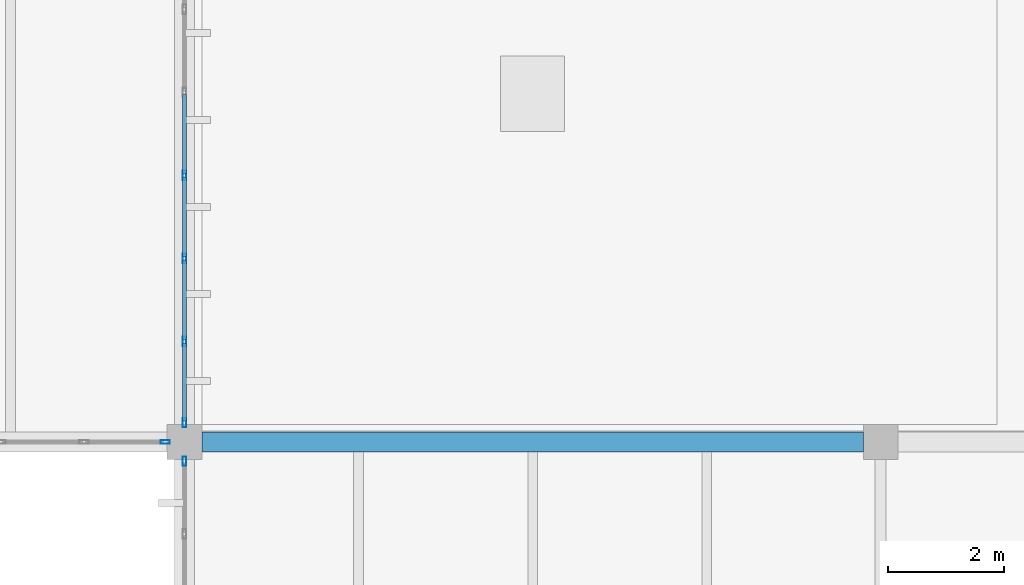
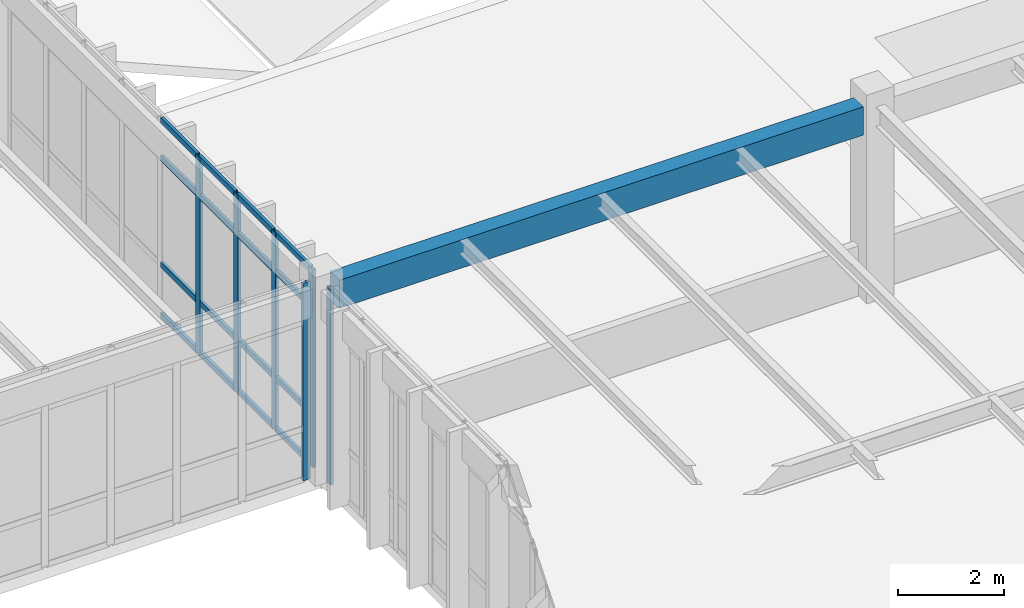
# One storey, part 174 of 236: 22 members, 1 beam, 3 elements without a shape of their own.
"""IFC4 building model written with IfcOpenShell, lengths in metres."""

from ifc_helpers import new_model, si_unit, direction, frame, origin, origin_2d, place, context, subcontext, project, spatial, rectangle, hollow_rectangle, extrude, material, layer, layer_set, material_profile, profile_set, type_object, element, aggregate, save


model = new_model("IFC4")

# Units and contexts
model_context = context("Model", 3, precision=1e-05, world=origin(), true_north=direction((0.0, 1.0)))
body_context = subcontext(model_context, "Body", "Model", "MODEL_VIEW")
ifc_project = project(units=[si_unit("LENGTHUNIT", "METRE"), si_unit("AREAUNIT", "SQUARE_METRE"), si_unit("VOLUMEUNIT", "CUBIC_METRE"), si_unit("PLANEANGLEUNIT", "RADIAN"), si_unit("MASSUNIT", "GRAM", prefix="KILO")], contexts=[model_context])

# Site, building, storey
site_placement = place(None, origin())
site = spatial("IfcSite", under=ifc_project, at=site_placement, CompositionType="ELEMENT")
building_placement = place(site_placement, origin())
building = spatial("IfcBuilding", under=site, at=building_placement, Name="Pandanus Reach Market Hall", CompositionType="ELEMENT")
storey_placement = place(building_placement, frame((0.0, 0.0, 5.39990234375)))
storey = spatial("IfcBuildingStorey", under=building, at=storey_placement, Name="L01", CompositionType="ELEMENT", Elevation=5.39990234375)

# Beam
ifc_material_1 = material(Name="Concrete N40 (40 MPa)", Category="concrete")
ifc_material_profile_1 = material_profile(ifc_material_1, rectangle(XDim=0.35009765625, YDim=0.64990234375, at=origin_2d()), Name="RC350x650", Category="LoadBearing")
ifc_profile_set_1 = profile_set([ifc_material_profile_1], Name="Concrete N40 (40 MPa)")
beam_type = type_object("IfcBeamType", Name="BM-RC350-E", PredefinedType="SPANDREL", material=ifc_profile_set_1)
beam_placement = place(storey_placement, frame((144.298095703125, 96.0, 4.135009765625), z_axis=(1.0, 0.0, 0.0), x_axis=(0.0, 1.0, 0.0)))
element("IfcBeam", 1, at=beam_placement, inside=storey, type_object=beam_type, Name="Framing beam BM-RC350-E L01.333", PredefinedType="SPANDREL", context=body_context, shape_type="SweptSolid", body=[
    extrude(rectangle(XDim=0.35009765625, YDim=0.64990234375, at=origin_2d()), origin(), (0.0, 0.0, 1.0), 11.40380859375),
])

# Curtain wall, member
ifc_material_2 = material(Name="Bronze anodised aluminium and low-E glass", Category="aluminium")
ifc_layer_1 = layer(ifc_material_2, 0.159912109375, Name="CW-29")
ifc_layer_set_1 = layer_set([ifc_layer_1], Name="Bronze anodised aluminium and low-E glass")
curtain_wall_type_1 = type_object("IfcCurtainWallType", Name="CW-29", PredefinedType="NOTDEFINED", material=ifc_layer_set_1)
curtain_wall_1_placement = place(storey_placement, origin())
curtain_wall_1 = element("IfcCurtainWall", 2, at=curtain_wall_1_placement, inside=storey, type_object=curtain_wall_type_1, Name="Glazed curtain wall CW-29 CW-0099", PredefinedType="NOTDEFINED")
ifc_material_3 = material(Name="Bronze anodised aluminium", Category="aluminium")
ifc_material_profile_2 = material_profile(ifc_material_3, hollow_rectangle(XDim=0.06494140625, YDim=0.159912109375, WallThickness=0.00390625, at=origin_2d()), Name="ALU65x160", Category="LoadBearing")
ifc_profile_set_2 = profile_set([ifc_material_profile_2], Name="Bronze anodised aluminium")
member_type_1 = type_object("IfcMemberType", Name="CW-M1", PredefinedType="MULLION", material=ifc_profile_set_2)
member_1_placement = place(storey_placement, frame((144.0, 95.66748046875, 0.0), z_axis=(0.0, 0.0, 1.0), x_axis=(-1.0, 0.0, 0.0)))
member_1 = element("IfcMember", 3, at=member_1_placement, type_object=member_type_1, Name="CW-29 mullion 8", PredefinedType="MULLION", context=body_context, shape_type="SweptSolid", body=[
    extrude(hollow_rectangle(XDim=0.06494140625, YDim=0.159912109375, WallThickness=0.00390625, at=origin_2d()), origin(), (0.0, 0.0, 1.0), 4.5),
])
aggregate(curtain_wall_1, [member_1])

ifc_layer_2 = layer(ifc_material_2, 0.159912109375, Name="CW-40")
ifc_layer_set_2 = layer_set([ifc_layer_2], Name="Bronze anodised aluminium and low-E glass")
curtain_wall_type_2 = type_object("IfcCurtainWallType", Name="CW-40", PredefinedType="NOTDEFINED", material=ifc_layer_set_2)
curtain_wall_2_placement = place(storey_placement, origin())
curtain_wall_2 = element("IfcCurtainWall", 4, at=curtain_wall_2_placement, inside=storey, type_object=curtain_wall_type_2, Name="Glazed curtain wall CW-40 CW-0145", PredefinedType="NOTDEFINED")
member_2_placement = place(storey_placement, frame((143.66748046875, 96.0, 0.0), z_axis=(0.0, 0.0, 1.0), x_axis=(0.0, 1.0, 0.0)))
member_2 = element("IfcMember", 5, at=member_2_placement, type_object=member_type_1, Name="CW-40 mullion 9", PredefinedType="MULLION", context=body_context, shape_type="SweptSolid", body=[
    extrude(hollow_rectangle(XDim=0.06494140625, YDim=0.159912109375, WallThickness=0.00390625, at=origin_2d()), origin(), (0.0, 0.0, 1.0), 4.550048828125),
])
aggregate(curtain_wall_2, [member_2])

# Curtain wall, members
curtain_wall_3_placement = place(storey_placement, origin())
curtain_wall_3 = element("IfcCurtainWall", 6, at=curtain_wall_3_placement, inside=storey, type_object=curtain_wall_type_2, Name="Glazed curtain wall CW-40 CW-0149", PredefinedType="NOTDEFINED")
member_3_placement = place(storey_placement, frame((144.0, 96.33251953125, 0.0), z_axis=(0.0, 0.0, 1.0), x_axis=(-1.0, 0.0, 0.0)))
member_3 = element("IfcMember", 7, at=member_3_placement, type_object=member_type_1, Name="CW-40 mullion 1", PredefinedType="MULLION", context=body_context, shape_type="SweptSolid", body=[
    extrude(hollow_rectangle(XDim=0.06494140625, YDim=0.159912109375, WallThickness=0.00390625, at=origin_2d()), origin(), (0.0, 0.0, 1.0), 4.550048828125),
])
member_4_placement = place(storey_placement, frame((144.0, 97.731201171875, 0.0), z_axis=(0.0, 0.0, 1.0), x_axis=(-1.0, 0.0, 0.0)))
member_4 = element("IfcMember", 8, at=member_4_placement, type_object=member_type_1, Name="CW-40 mullion 2", PredefinedType="MULLION", context=body_context, shape_type="SweptSolid", body=[
    extrude(hollow_rectangle(XDim=0.06494140625, YDim=0.159912109375, WallThickness=0.00390625, at=origin_2d()), origin(), (0.0, 0.0, 1.0), 4.550048828125),
])
member_5_placement = place(storey_placement, frame((144.0, 99.16259765625, 0.0), z_axis=(0.0, 0.0, 1.0), x_axis=(-1.0, 0.0, 0.0)))
member_5 = element("IfcMember", 9, at=member_5_placement, type_object=member_type_1, Name="CW-40 mullion 3", PredefinedType="MULLION", context=body_context, shape_type="SweptSolid", body=[
    extrude(hollow_rectangle(XDim=0.06494140625, YDim=0.159912109375, WallThickness=0.00390625, at=origin_2d()), origin(), (0.0, 0.0, 1.0), 4.550048828125),
])
member_6_placement = place(storey_placement, frame((144.0, 100.59375, 0.0), z_axis=(0.0, 0.0, 1.0), x_axis=(-1.0, 0.0, 0.0)))
member_6 = element("IfcMember", 10, at=member_6_placement, type_object=member_type_1, Name="CW-40 mullion 4", PredefinedType="MULLION", context=body_context, shape_type="SweptSolid", body=[
    extrude(hollow_rectangle(XDim=0.06494140625, YDim=0.159912109375, WallThickness=0.00390625, at=origin_2d()), origin(), (0.0, 0.0, 1.0), 4.550048828125),
])
ifc_material_profile_3 = material_profile(ifc_material_3, hollow_rectangle(XDim=0.06494140625, YDim=0.1298828125, WallThickness=0.00390625, at=origin_2d()), Name="ALU65x130", Category="LoadBearing")
ifc_profile_set_3 = profile_set([ifc_material_profile_3], Name="Bronze anodised aluminium")
member_type_2 = type_object("IfcMemberType", Name="CW-T1", PredefinedType="USERDEFINED", material=ifc_profile_set_3)
member_7_placement = place(storey_placement, frame((144.0, 96.364990234375, 0.03271484375), z_axis=(0.0, 1.0, 0.0), x_axis=(-1.0, 0.0, 0.0)))
member_7 = element("IfcMember", 11, at=member_7_placement, type_object=member_type_2, Name="CW-40 transom 1.1", ObjectType="TRANSOM", PredefinedType="USERDEFINED", context=body_context, shape_type="SweptSolid", body=[
    extrude(hollow_rectangle(XDim=0.06494140625, YDim=0.1298828125, WallThickness=0.00390625, at=origin_2d()), origin(), (0.0, 0.0, 1.0), 1.333740234375),
])
member_8_placement = place(storey_placement, frame((144.0, 96.364990234375, 1.2001953125), z_axis=(0.0, 1.0, 0.0), x_axis=(-1.0, 0.0, 0.0)))
member_8 = element("IfcMember", 12, at=member_8_placement, type_object=member_type_2, Name="CW-40 transom 1.2", ObjectType="TRANSOM", PredefinedType="USERDEFINED", context=body_context, shape_type="SweptSolid", body=[
    extrude(hollow_rectangle(XDim=0.06494140625, YDim=0.1298828125, WallThickness=0.00390625, at=origin_2d()), origin(), (0.0, 0.0, 1.0), 1.333740234375),
])
member_9_placement = place(storey_placement, frame((144.0, 96.364990234375, 3.650146484375), z_axis=(0.0, 1.0, 0.0), x_axis=(-1.0, 0.0, 0.0)))
member_9 = element("IfcMember", 13, at=member_9_placement, type_object=member_type_2, Name="CW-40 transom 1.3", ObjectType="TRANSOM", PredefinedType="USERDEFINED", context=body_context, shape_type="SweptSolid", body=[
    extrude(hollow_rectangle(XDim=0.06494140625, YDim=0.1298828125, WallThickness=0.00390625, at=origin_2d()), origin(), (0.0, 0.0, 1.0), 1.333740234375),
])
member_10_placement = place(storey_placement, frame((144.0, 96.364990234375, 4.517578125), z_axis=(0.0, 1.0, 0.0), x_axis=(-1.0, 0.0, 0.0)))
member_10 = element("IfcMember", 14, at=member_10_placement, type_object=member_type_2, Name="CW-40 transom 1.4", ObjectType="TRANSOM", PredefinedType="USERDEFINED", context=body_context, shape_type="SweptSolid", body=[
    extrude(hollow_rectangle(XDim=0.06494140625, YDim=0.1298828125, WallThickness=0.00390625, at=origin_2d()), origin(), (0.0, 0.0, 1.0), 1.333740234375),
])
member_11_placement = place(storey_placement, frame((144.0, 97.763671875, 0.03271484375), z_axis=(0.0, 1.0, 0.0), x_axis=(-1.0, 0.0, 0.0)))
member_11 = element("IfcMember", 15, at=member_11_placement, type_object=member_type_2, Name="CW-40 transom 2.1", ObjectType="TRANSOM", PredefinedType="USERDEFINED", context=body_context, shape_type="SweptSolid", body=[
    extrude(hollow_rectangle(XDim=0.06494140625, YDim=0.1298828125, WallThickness=0.00390625, at=origin_2d()), origin(), (0.0, 0.0, 1.0), 1.3662109375),
])
member_12_placement = place(storey_placement, frame((144.0, 97.763671875, 1.2001953125), z_axis=(0.0, 1.0, 0.0), x_axis=(-1.0, 0.0, 0.0)))
member_12 = element("IfcMember", 16, at=member_12_placement, type_object=member_type_2, Name="CW-40 transom 2.2", ObjectType="TRANSOM", PredefinedType="USERDEFINED", context=body_context, shape_type="SweptSolid", body=[
    extrude(hollow_rectangle(XDim=0.06494140625, YDim=0.1298828125, WallThickness=0.00390625, at=origin_2d()), origin(), (0.0, 0.0, 1.0), 1.3662109375),
])
member_13_placement = place(storey_placement, frame((144.0, 97.763671875, 3.650146484375), z_axis=(0.0, 1.0, 0.0), x_axis=(-1.0, 0.0, 0.0)))
member_13 = element("IfcMember", 17, at=member_13_placement, type_object=member_type_2, Name="CW-40 transom 2.3", ObjectType="TRANSOM", PredefinedType="USERDEFINED", context=body_context, shape_type="SweptSolid", body=[
    extrude(hollow_rectangle(XDim=0.06494140625, YDim=0.1298828125, WallThickness=0.00390625, at=origin_2d()), origin(), (0.0, 0.0, 1.0), 1.3662109375),
])
member_14_placement = place(storey_placement, frame((144.0, 97.763671875, 4.517578125), z_axis=(0.0, 1.0, 0.0), x_axis=(-1.0, 0.0, 0.0)))
member_14 = element("IfcMember", 18, at=member_14_placement, type_object=member_type_2, Name="CW-40 transom 2.4", ObjectType="TRANSOM", PredefinedType="USERDEFINED", context=body_context, shape_type="SweptSolid", body=[
    extrude(hollow_rectangle(XDim=0.06494140625, YDim=0.1298828125, WallThickness=0.00390625, at=origin_2d()), origin(), (0.0, 0.0, 1.0), 1.3662109375),
])
member_15_placement = place(storey_placement, frame((144.0, 99.195068359375, 0.03271484375), z_axis=(0.0, 1.0, 0.0), x_axis=(-1.0, 0.0, 0.0)))
member_15 = element("IfcMember", 19, at=member_15_placement, type_object=member_type_2, Name="CW-40 transom 3.1", ObjectType="TRANSOM", PredefinedType="USERDEFINED", context=body_context, shape_type="SweptSolid", body=[
    extrude(hollow_rectangle(XDim=0.06494140625, YDim=0.1298828125, WallThickness=0.00390625, at=origin_2d()), origin(), (0.0, 0.0, 1.0), 1.3662109375),
])
member_16_placement = place(storey_placement, frame((144.0, 99.195068359375, 1.2001953125), z_axis=(0.0, 1.0, 0.0), x_axis=(-1.0, 0.0, 0.0)))
member_16 = element("IfcMember", 20, at=member_16_placement, type_object=member_type_2, Name="CW-40 transom 3.2", ObjectType="TRANSOM", PredefinedType="USERDEFINED", context=body_context, shape_type="SweptSolid", body=[
    extrude(hollow_rectangle(XDim=0.06494140625, YDim=0.1298828125, WallThickness=0.00390625, at=origin_2d()), origin(), (0.0, 0.0, 1.0), 1.3662109375),
])
member_17_placement = place(storey_placement, frame((144.0, 99.195068359375, 3.650146484375), z_axis=(0.0, 1.0, 0.0), x_axis=(-1.0, 0.0, 0.0)))
member_17 = element("IfcMember", 21, at=member_17_placement, type_object=member_type_2, Name="CW-40 transom 3.3", ObjectType="TRANSOM", PredefinedType="USERDEFINED", context=body_context, shape_type="SweptSolid", body=[
    extrude(hollow_rectangle(XDim=0.06494140625, YDim=0.1298828125, WallThickness=0.00390625, at=origin_2d()), origin(), (0.0, 0.0, 1.0), 1.3662109375),
])
member_18_placement = place(storey_placement, frame((144.0, 99.195068359375, 4.517578125), z_axis=(0.0, 1.0, 0.0), x_axis=(-1.0, 0.0, 0.0)))
member_18 = element("IfcMember", 22, at=member_18_placement, type_object=member_type_2, Name="CW-40 transom 3.4", ObjectType="TRANSOM", PredefinedType="USERDEFINED", context=body_context, shape_type="SweptSolid", body=[
    extrude(hollow_rectangle(XDim=0.06494140625, YDim=0.1298828125, WallThickness=0.00390625, at=origin_2d()), origin(), (0.0, 0.0, 1.0), 1.3662109375),
])
member_19_placement = place(storey_placement, frame((144.0, 100.626220703125, 0.03271484375), z_axis=(0.0, 1.0, 0.0), x_axis=(-1.0, 0.0, 0.0)))
member_19 = element("IfcMember", 23, at=member_19_placement, type_object=member_type_2, Name="CW-40 transom 4.1", ObjectType="TRANSOM", PredefinedType="USERDEFINED", context=body_context, shape_type="SweptSolid", body=[
    extrude(hollow_rectangle(XDim=0.06494140625, YDim=0.1298828125, WallThickness=0.00390625, at=origin_2d()), origin(), (0.0, 0.0, 1.0), 1.3662109375),
])
member_20_placement = place(storey_placement, frame((144.0, 100.626220703125, 1.2001953125), z_axis=(0.0, 1.0, 0.0), x_axis=(-1.0, 0.0, 0.0)))
member_20 = element("IfcMember", 24, at=member_20_placement, type_object=member_type_2, Name="CW-40 transom 4.2", ObjectType="TRANSOM", PredefinedType="USERDEFINED", context=body_context, shape_type="SweptSolid", body=[
    extrude(hollow_rectangle(XDim=0.06494140625, YDim=0.1298828125, WallThickness=0.00390625, at=origin_2d()), origin(), (0.0, 0.0, 1.0), 1.3662109375),
])
member_21_placement = place(storey_placement, frame((144.0, 100.626220703125, 3.650146484375), z_axis=(0.0, 1.0, 0.0), x_axis=(-1.0, 0.0, 0.0)))
member_21 = element("IfcMember", 25, at=member_21_placement, type_object=member_type_2, Name="CW-40 transom 4.3", ObjectType="TRANSOM", PredefinedType="USERDEFINED", context=body_context, shape_type="SweptSolid", body=[
    extrude(hollow_rectangle(XDim=0.06494140625, YDim=0.1298828125, WallThickness=0.00390625, at=origin_2d()), origin(), (0.0, 0.0, 1.0), 1.3662109375),
])
member_22_placement = place(storey_placement, frame((144.0, 100.626220703125, 4.517578125), z_axis=(0.0, 1.0, 0.0), x_axis=(-1.0, 0.0, 0.0)))
member_22 = element("IfcMember", 26, at=member_22_placement, type_object=member_type_2, Name="CW-40 transom 4.4", ObjectType="TRANSOM", PredefinedType="USERDEFINED", context=body_context, shape_type="SweptSolid", body=[
    extrude(hollow_rectangle(XDim=0.06494140625, YDim=0.1298828125, WallThickness=0.00390625, at=origin_2d()), origin(), (0.0, 0.0, 1.0), 1.3662109375),
])
aggregate(curtain_wall_3, [member_3, member_4, member_5, member_6, member_7, member_8, member_9, member_10, member_11, member_12, member_13, member_14, member_15, member_16, member_17, member_18, member_19, member_20, member_21, member_22])

save(model, "model.ifc")
